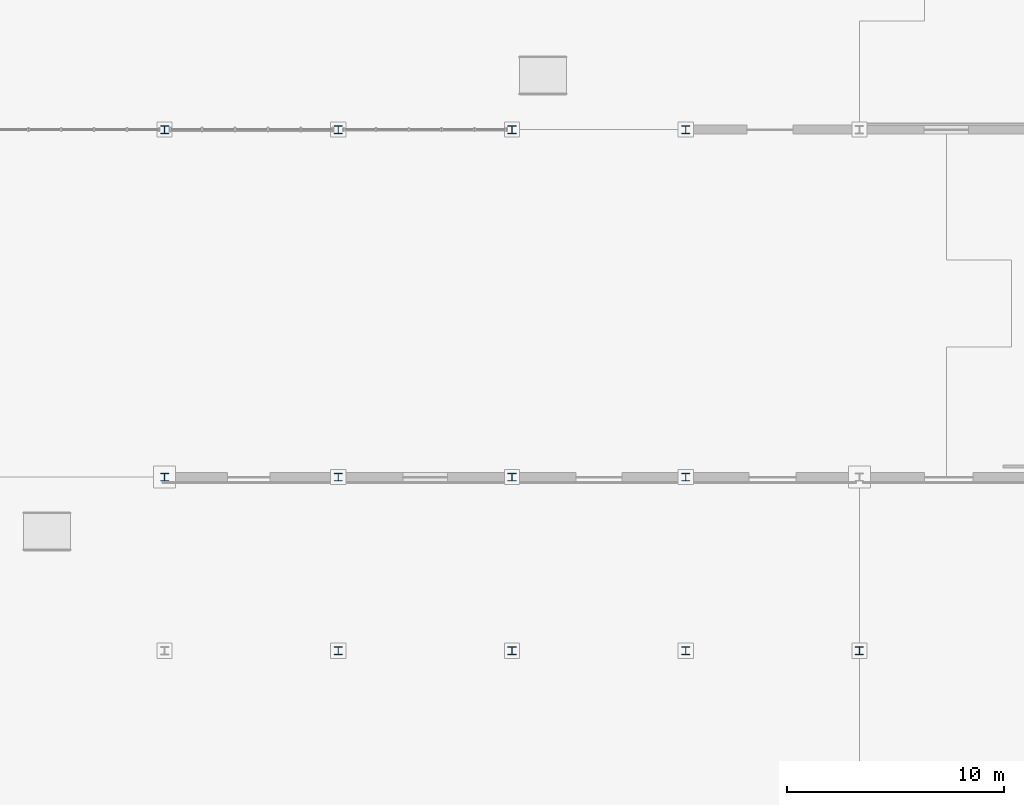
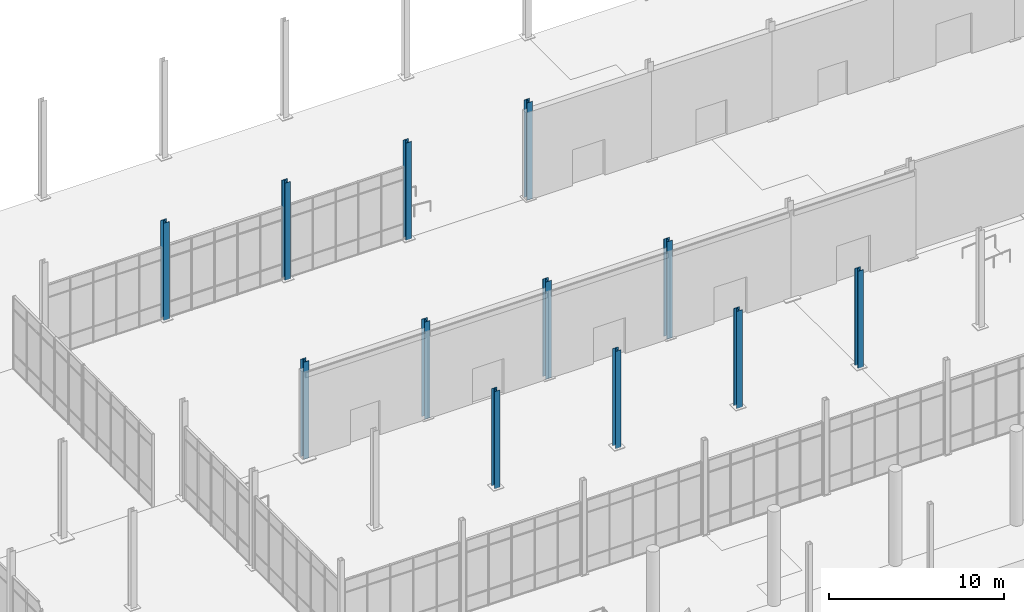
# One storey, part 13 of 140: 12 columns.
"""IFC4 building model written with IfcOpenShell, lengths in metres."""

from ifc_helpers import new_model, si_unit, direction, frame, origin, origin_2d, place, context, subcontext, project, spatial, i_section, extrude, material, material_profile, profile_set, type_object, element, save


model = new_model("IFC4")

# Units and contexts
model_context = context("Model", 3, precision=1e-05, world=origin(), true_north=direction((0.0, 1.0)))
body_context = subcontext(model_context, "Body", "Model", "MODEL_VIEW")
ifc_project = project(units=[si_unit("LENGTHUNIT", "METRE"), si_unit("AREAUNIT", "SQUARE_METRE"), si_unit("VOLUMEUNIT", "CUBIC_METRE"), si_unit("PLANEANGLEUNIT", "RADIAN"), si_unit("MASSUNIT", "GRAM", prefix="KILO")], contexts=[model_context])

# Site, building, storey
site_placement = place(None, origin())
site = spatial("IfcSite", under=ifc_project, at=site_placement, CompositionType="ELEMENT")
building_placement = place(site_placement, origin())
building = spatial("IfcBuilding", under=site, at=building_placement, Name="Verrall Gate Interchange", CompositionType="ELEMENT")
storey_placement = place(building_placement, origin())
storey = spatial("IfcBuildingStorey", under=building, at=storey_placement, Name="L01", CompositionType="ELEMENT", Elevation=0.0)

# Columns
ifc_material = material(Name="Structural Steel CSA G40.21 350W", Category="steel")
ifc_material_profile = material_profile(ifc_material, i_section(OverallWidth=0.368896484375, OverallDepth=0.35595703125, WebThickness=0.01123046875, FlangeThickness=0.01806640625, FilletRadius=0.014892578125, at=origin_2d()), Name="W360x134")
ifc_profile_set = profile_set([ifc_material_profile], Name="Structural Steel CSA G40.21 350W")
column_type = type_object("IfcColumnType", Name="C-08 Column W360x134", PredefinedType="COLUMN", material=ifc_profile_set)
for number, where, z_axis, x_axis, name in (
    (1, (76.0, 66.0, 0.0), (0.0, 0.0, 1.0), (1.0, 0.0, 0.0), "Bus Concourse Steel Column 1542"),
    (2, (84.0, 66.0, 0.0), (0.0, 0.0, 1.0), (1.0, 0.0, 0.0), "Bus Concourse Steel Column 1544"),
    (3, (92.0, 66.0, 0.0), (0.0, 0.0, 1.0), (1.0, 0.0, 0.0), "Bus Concourse Steel Column 1546"),
    (4, (100.0, 66.0, 0.0), (0.0, 0.0, 1.0), (1.0, 0.0, 0.0), "Bus Concourse Steel Column 1548"),
    (5, (76.0, 74.0, 0.0), (0.0, 0.0, 1.0), (1.0, 0.0, 0.0), "Bus Concourse Steel Column 1566"),
    (6, (84.0, 74.0, 0.0), (0.0, 0.0, 1.0), (1.0, 0.0, 0.0), "Bus Concourse Steel Column 1568"),
    (7, (92.0, 74.0, 0.0), (0.0, 0.0, 1.0), (1.0, 0.0, 0.0), "Bus Concourse Steel Column 1570"),
    (8, (68.0, 90.0, 0.0), (0.0, 0.0, 1.0), (1.0, 0.0, 0.0), "Bus Concourse Steel Column 1588"),
    (9, (76.0, 90.0, 0.0), (0.0, 0.0, 1.0), (1.0, 0.0, 0.0), "Bus Concourse Steel Column 1590"),
    (10, (84.0, 90.0, 0.0), (0.0, 0.0, 1.0), (1.0, 0.0, 0.0), "Bus Concourse Steel Column 1592"),
    (11, (92.0, 90.0, 0.0), (0.0, 0.0, 1.0), (1.0, 0.0, 0.0), "Bus Concourse Steel Column 1594"),
    (12, (68.0, 74.0, 0.0), (0.0, 0.0, 1.0), (1.0, 0.0, 0.0), "Bus Concourse Steel Column 1636"),
):
    element("IfcColumn", number, at=place(storey_placement, frame(where, z_axis=z_axis, x_axis=x_axis)), inside=storey, type_object=column_type, Name=name, PredefinedType="COLUMN", context=body_context, shape_type="SweptSolid", body=[
        extrude(i_section(OverallWidth=0.368896484375, OverallDepth=0.35595703125, WebThickness=0.01123046875, FlangeThickness=0.01806640625, FilletRadius=0.014892578125, at=origin_2d()), origin(), (0.0, 0.0, 1.0), 6.800048828125),
    ])

save(model, "model.ifc")
